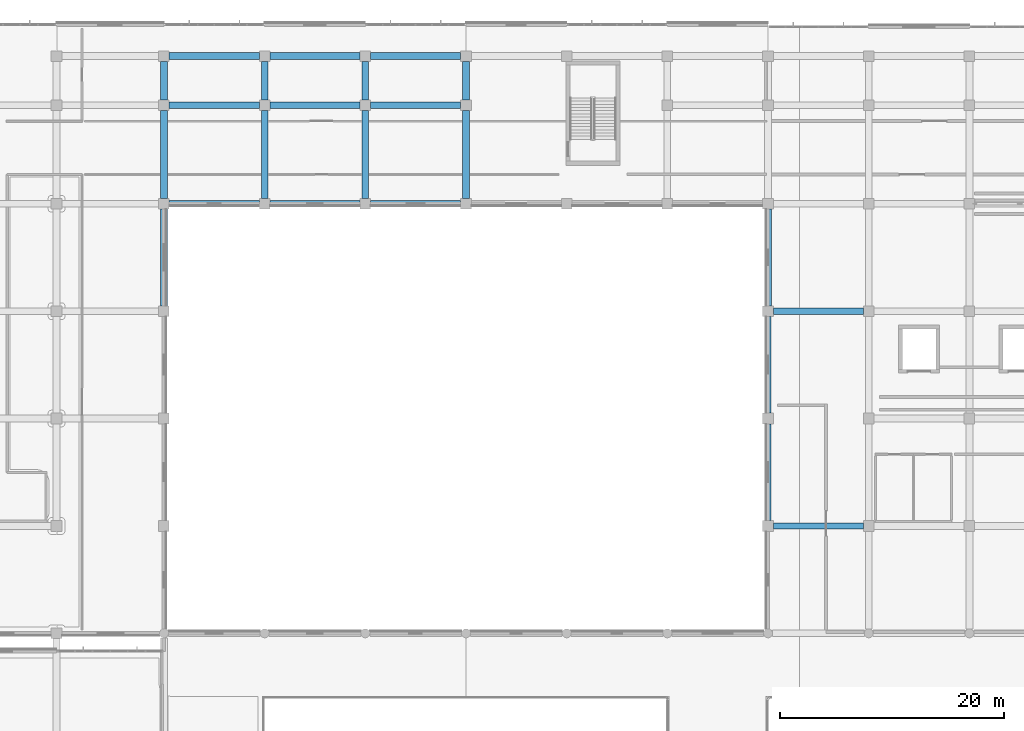
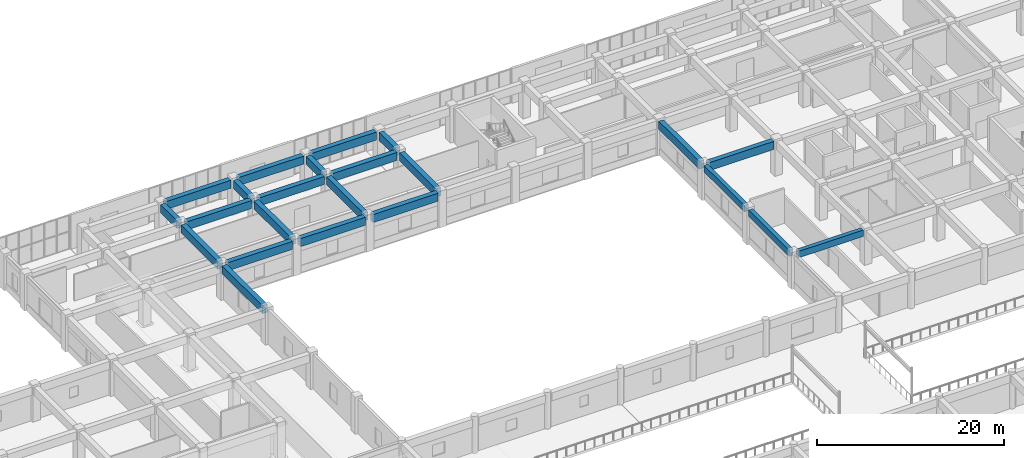
# One storey, part 30 of 86: 23 beams.
"""IFC4 building model written with IfcOpenShell, lengths in metres."""

from ifc_helpers import new_model, si_unit, direction, frame, origin, origin_2d, place, context, subcontext, project, spatial, rectangle, extrude, material, material_profile, profile_set, type_object, element, save


model = new_model("IFC4")

# Units and contexts
model_context = context("Model", 3, precision=1e-05, world=origin(), true_north=direction((0.0, 1.0)))
body_context = subcontext(model_context, "Body", "Model", "MODEL_VIEW")
ifc_project = project(units=[si_unit("LENGTHUNIT", "METRE"), si_unit("AREAUNIT", "SQUARE_METRE"), si_unit("VOLUMEUNIT", "CUBIC_METRE"), si_unit("PLANEANGLEUNIT", "RADIAN"), si_unit("MASSUNIT", "GRAM", prefix="KILO")], contexts=[model_context])

# Site, building, storey
site_placement = place(None, origin())
site = spatial("IfcSite", under=ifc_project, at=site_placement, CompositionType="ELEMENT")
building_placement = place(site_placement, origin())
building = spatial("IfcBuilding", under=site, at=building_placement, Name="Cendralis Terraced Arcade", CompositionType="ELEMENT")
storey_placement = place(building_placement, frame((0.0, 0.0, 5.39990234375)))
storey = spatial("IfcBuildingStorey", under=building, at=storey_placement, Name="L01", CompositionType="ELEMENT", Elevation=5.39990234375)

# Beams
ifc_material = material(Name="Concrete f'c 35 MPa", Category="concrete")
ifc_material_profile_1 = material_profile(ifc_material, rectangle(XDim=0.5, YDim=0.85009765625, at=origin_2d()), Name="RC-BM-500x850", Category="LoadBearing")
ifc_profile_set_1 = profile_set([ifc_material_profile_1], Name="Concrete f'c 35 MPa")
beam_type_1 = type_object("IfcBeamType", Name="BM-500x850", PredefinedType="JOIST", material=ifc_profile_set_1)
beam_1_placement = place(storey_placement, frame((121.199951171875, 70.074951171875, 4.10009765625), z_axis=(0.0, 1.0, 0.0), x_axis=(-1.0, 0.0, 0.0)))
element("IfcBeam", 1, at=beam_1_placement, inside=storey, type_object=beam_type_1, Name="Terrace Support Girder TER-L02-V5-1", PredefinedType="JOIST", context=body_context, shape_type="SweptSolid", body=[
    extrude(rectangle(XDim=0.5, YDim=0.85009765625, at=origin_2d()), origin(), (0.0, 0.0, 1.0), 8.650146484375),
])
beam_2_placement = place(storey_placement, frame((121.199951171875, 79.675048828125, 4.10009765625), z_axis=(0.0, 1.0, 0.0), x_axis=(-1.0, 0.0, 0.0)))
element("IfcBeam", 2, at=beam_2_placement, inside=storey, type_object=beam_type_1, Name="Terrace Support Girder TER-L02-V5-2", PredefinedType="JOIST", context=body_context, shape_type="SweptSolid", body=[
    extrude(rectangle(XDim=0.5, YDim=0.85009765625, at=origin_2d()), origin(), (0.0, 0.0, 1.0), 8.64990234375),
])
beam_3_placement = place(storey_placement, frame((121.675048828125, 69.60009765625, 4.10009765625), z_axis=(1.0, 0.0, 0.0), x_axis=(0.0, 1.0, 0.0)))
element("IfcBeam", 3, at=beam_3_placement, inside=storey, type_object=beam_type_1, Name="Terrace Support Girder TER-L02-V5-4", PredefinedType="JOIST", context=body_context, shape_type="SweptSolid", body=[
    extrude(rectangle(XDim=0.5, YDim=0.85009765625, at=origin_2d()), origin(), (0.0, 0.0, 1.0), 8.050048828125),
])
ifc_material_profile_2 = material_profile(ifc_material, rectangle(XDim=0.60009765625, YDim=1.050048828125, at=origin_2d()), Name="RC-BM-600x1050", Category="LoadBearing")
ifc_profile_set_2 = profile_set([ifc_material_profile_2], Name="Concrete f'c 35 MPa")
beam_type_2 = type_object("IfcBeamType", Name="BM-600x1050", PredefinedType="JOIST", material=ifc_profile_set_2)
for number, where, z_axis, x_axis, name in (
    (4, (121.675048828125, 88.800048828125, 3.97998046875), (1.0, 0.0, 0.0), (0.0, 1.0, 0.0), "Reinforced Concrete Frame Beam BM-X-L02-K-14_15"),
    (5, (67.675048828125, 98.39990234375, 3.97998046875), (1.0, 0.0, 0.0), (0.0, 1.0, 0.0), "Reinforced Concrete Frame Beam BM-X-L02-L-8_9"),
    (6, (76.675048828125, 98.39990234375, 3.97998046875), (1.0, 0.0, 0.0), (0.0, 1.0, 0.0), "Reinforced Concrete Frame Beam BM-X-L02-L-9_10"),
    (7, (85.675048828125, 98.39990234375, 3.97998046875), (1.0, 0.0, 0.0), (0.0, 1.0, 0.0), "Reinforced Concrete Frame Beam BM-X-L02-L-10_11"),
    (8, (67.675048828125, 107.199951171875, 3.97998046875), (1.0, 0.0, 0.0), (0.0, 1.0, 0.0), "Reinforced Concrete Frame Beam BM-X-L02-M-8_9"),
    (9, (76.675048828125, 107.199951171875, 3.97998046875), (1.0, 0.0, 0.0), (0.0, 1.0, 0.0), "Reinforced Concrete Frame Beam BM-X-L02-M-9_10"),
    (10, (85.675048828125, 107.199951171875, 3.97998046875), (1.0, 0.0, 0.0), (0.0, 1.0, 0.0), "Reinforced Concrete Frame Beam BM-X-L02-M-10_11"),
    (11, (67.675048828125, 111.60009765625, 3.97998046875), (1.0, 0.0, 0.0), (0.0, 1.0, 0.0), "Reinforced Concrete Frame Beam BM-X-L02-N-8_9"),
    (12, (76.675048828125, 111.60009765625, 3.97998046875), (1.0, 0.0, 0.0), (0.0, 1.0, 0.0), "Reinforced Concrete Frame Beam BM-X-L02-N-9_10"),
    (13, (85.675048828125, 111.60009765625, 3.97998046875), (1.0, 0.0, 0.0), (0.0, 1.0, 0.0), "Reinforced Concrete Frame Beam BM-X-L02-N-10_11"),
):
    element("IfcBeam", number, at=place(storey_placement, frame(where, z_axis=z_axis, x_axis=x_axis)), inside=storey, type_object=beam_type_2, Name=name, PredefinedType="JOIST", context=body_context, shape_type="SweptSolid", body=[
        extrude(rectangle(XDim=0.60009765625, YDim=1.050048828125, at=origin_2d()), origin(), (0.0, 0.0, 1.0), 8.050048828125),
    ])
beam_4_placement = place(storey_placement, frame((67.199951171875, 89.27490234375, 3.97998046875), z_axis=(0.0, 1.0, 0.0), x_axis=(-1.0, 0.0, 0.0)))
element("IfcBeam", 14, at=beam_4_placement, inside=storey, type_object=beam_type_2, Name="Reinforced Concrete Frame Beam BM-Y-L02-8-K_L", PredefinedType="JOIST", context=body_context, shape_type="SweptSolid", body=[
    extrude(rectangle(XDim=0.60009765625, YDim=1.050048828125, at=origin_2d()), origin(), (0.0, 0.0, 1.0), 8.650146484375),
])
beam_5_placement = place(storey_placement, frame((67.199951171875, 98.875, 3.97998046875), z_axis=(0.0, 1.0, 0.0), x_axis=(-1.0, 0.0, 0.0)))
element("IfcBeam", 15, at=beam_5_placement, inside=storey, type_object=beam_type_2, Name="Reinforced Concrete Frame Beam BM-Y-L02-8-L_M", PredefinedType="JOIST", context=body_context, shape_type="SweptSolid", body=[
    extrude(rectangle(XDim=0.60009765625, YDim=1.050048828125, at=origin_2d()), origin(), (0.0, 0.0, 1.0), 7.85009765625),
])
beam_6_placement = place(storey_placement, frame((67.199951171875, 107.675048828125, 3.97998046875), z_axis=(0.0, 1.0, 0.0), x_axis=(-1.0, 0.0, 0.0)))
element("IfcBeam", 16, at=beam_6_placement, inside=storey, type_object=beam_type_2, Name="Reinforced Concrete Frame Beam BM-Y-L02-8-M_N", PredefinedType="JOIST", context=body_context, shape_type="SweptSolid", body=[
    extrude(rectangle(XDim=0.60009765625, YDim=1.050048828125, at=origin_2d()), origin(), (0.0, 0.0, 1.0), 3.449951171875),
])
beam_7_placement = place(storey_placement, frame((76.199951171875, 98.875, 3.97998046875), z_axis=(0.0, 1.0, 0.0), x_axis=(-1.0, 0.0, 0.0)))
element("IfcBeam", 17, at=beam_7_placement, inside=storey, type_object=beam_type_2, Name="Reinforced Concrete Frame Beam BM-Y-L02-9-L_M", PredefinedType="JOIST", context=body_context, shape_type="SweptSolid", body=[
    extrude(rectangle(XDim=0.60009765625, YDim=1.050048828125, at=origin_2d()), origin(), (0.0, 0.0, 1.0), 7.85009765625),
])
beam_8_placement = place(storey_placement, frame((76.199951171875, 107.675048828125, 3.97998046875), z_axis=(0.0, 1.0, 0.0), x_axis=(-1.0, 0.0, 0.0)))
element("IfcBeam", 18, at=beam_8_placement, inside=storey, type_object=beam_type_2, Name="Reinforced Concrete Frame Beam BM-Y-L02-9-M_N", PredefinedType="JOIST", context=body_context, shape_type="SweptSolid", body=[
    extrude(rectangle(XDim=0.60009765625, YDim=1.050048828125, at=origin_2d()), origin(), (0.0, 0.0, 1.0), 3.449951171875),
])
beam_9_placement = place(storey_placement, frame((85.199951171875, 98.875, 3.97998046875), z_axis=(0.0, 1.0, 0.0), x_axis=(-1.0, 0.0, 0.0)))
element("IfcBeam", 19, at=beam_9_placement, inside=storey, type_object=beam_type_2, Name="Reinforced Concrete Frame Beam BM-Y-L02-10-L_M", PredefinedType="JOIST", context=body_context, shape_type="SweptSolid", body=[
    extrude(rectangle(XDim=0.60009765625, YDim=1.050048828125, at=origin_2d()), origin(), (0.0, 0.0, 1.0), 7.85009765625),
])
beam_10_placement = place(storey_placement, frame((85.199951171875, 107.675048828125, 3.97998046875), z_axis=(0.0, 1.0, 0.0), x_axis=(-1.0, 0.0, 0.0)))
element("IfcBeam", 20, at=beam_10_placement, inside=storey, type_object=beam_type_2, Name="Reinforced Concrete Frame Beam BM-Y-L02-10-M_N", PredefinedType="JOIST", context=body_context, shape_type="SweptSolid", body=[
    extrude(rectangle(XDim=0.60009765625, YDim=1.050048828125, at=origin_2d()), origin(), (0.0, 0.0, 1.0), 3.449951171875),
])
beam_11_placement = place(storey_placement, frame((94.199951171875, 98.875, 3.97998046875), z_axis=(0.0, 1.0, 0.0), x_axis=(-1.0, 0.0, 0.0)))
element("IfcBeam", 21, at=beam_11_placement, inside=storey, type_object=beam_type_2, Name="Reinforced Concrete Frame Beam BM-Y-L02-11-L_M", PredefinedType="JOIST", context=body_context, shape_type="SweptSolid", body=[
    extrude(rectangle(XDim=0.60009765625, YDim=1.050048828125, at=origin_2d()), origin(), (0.0, 0.0, 1.0), 7.85009765625),
])
beam_12_placement = place(storey_placement, frame((94.199951171875, 107.675048828125, 3.97998046875), z_axis=(0.0, 1.0, 0.0), x_axis=(-1.0, 0.0, 0.0)))
element("IfcBeam", 22, at=beam_12_placement, inside=storey, type_object=beam_type_2, Name="Reinforced Concrete Frame Beam BM-Y-L02-11-M_N", PredefinedType="JOIST", context=body_context, shape_type="SweptSolid", body=[
    extrude(rectangle(XDim=0.60009765625, YDim=1.050048828125, at=origin_2d()), origin(), (0.0, 0.0, 1.0), 3.449951171875),
])
beam_13_placement = place(storey_placement, frame((121.199951171875, 89.27490234375, 3.97998046875), z_axis=(0.0, 1.0, 0.0), x_axis=(-1.0, 0.0, 0.0)))
element("IfcBeam", 23, at=beam_13_placement, inside=storey, type_object=beam_type_2, Name="Reinforced Concrete Frame Beam BM-Y-L02-14-K_L", PredefinedType="JOIST", context=body_context, shape_type="SweptSolid", body=[
    extrude(rectangle(XDim=0.60009765625, YDim=1.050048828125, at=origin_2d()), origin(), (0.0, 0.0, 1.0), 8.650146484375),
])

save(model, "model.ifc")
